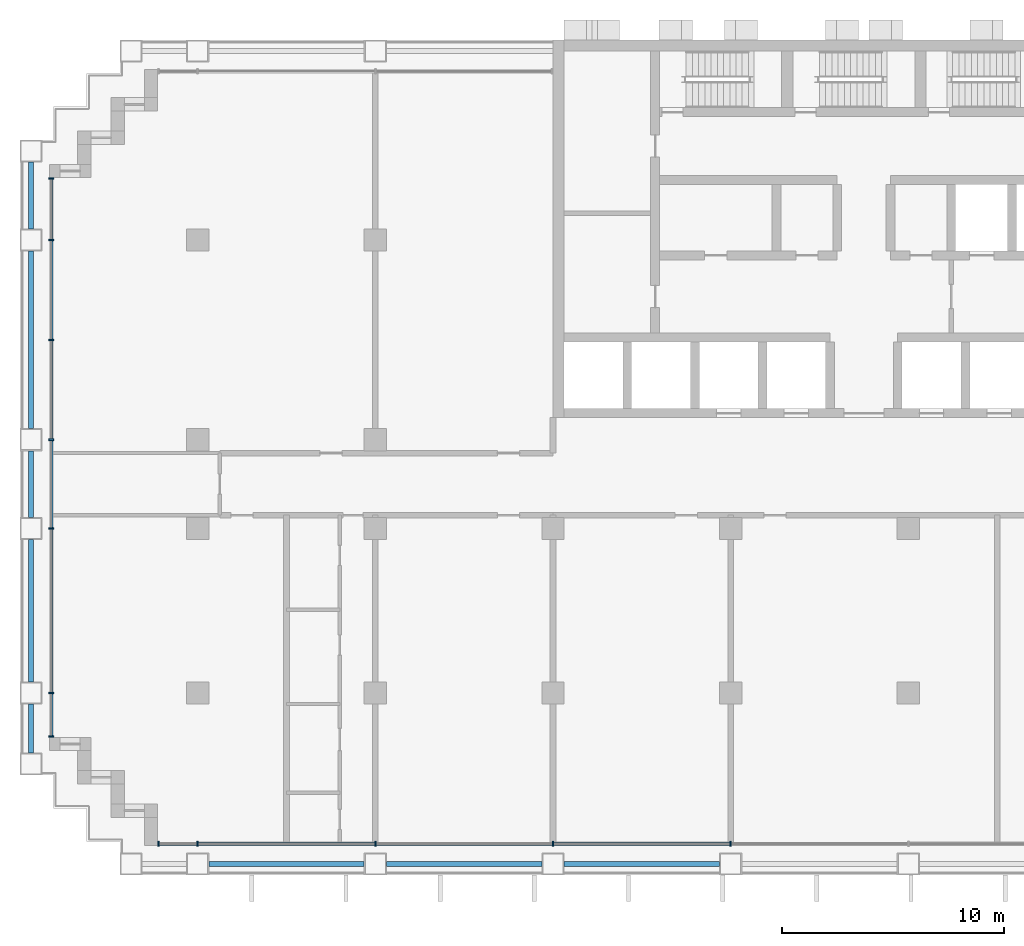
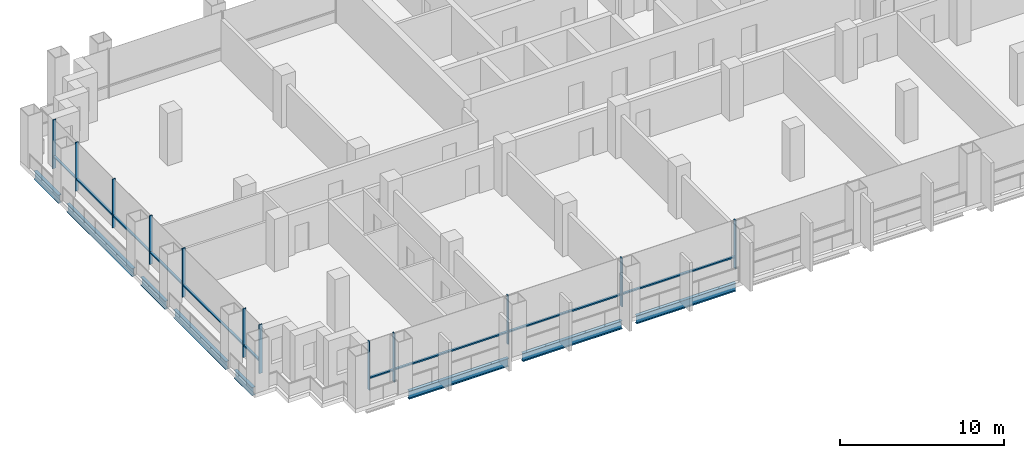
# One storey, part 2 of 13: 22 members, 8 beams, 2 elements without a shape of their own.
"""IFC4 building model written with IfcOpenShell, lengths in metres."""

from ifc_helpers import new_model, si_unit, direction, frame, origin, origin_2d, place, context, subcontext, project, spatial, rectangle, i_section, extrude, material, material_profile, profile_set, type_object, element, aggregate, save


model = new_model("IFC4")

# Units and contexts
model_context = context("Model", 3, precision=1e-05, world=origin(), true_north=direction((0.0, 1.0)))
body_context = subcontext(model_context, "Body", "Model", "MODEL_VIEW")
ifc_project = project(units=[si_unit("LENGTHUNIT", "METRE"), si_unit("AREAUNIT", "SQUARE_METRE"), si_unit("VOLUMEUNIT", "CUBIC_METRE"), si_unit("PLANEANGLEUNIT", "RADIAN"), si_unit("MASSUNIT", "GRAM", prefix="KILO")], contexts=[model_context])

# Site, building, storey
site_placement = place(None, origin())
site = spatial("IfcSite", under=ifc_project, at=site_placement, CompositionType="ELEMENT")
building_placement = place(site_placement, origin())
building = spatial("IfcBuilding", under=site, at=building_placement, Name="Vidyagriha Tower", CompositionType="ELEMENT")
storey_placement = place(building_placement, frame((0.0, 0.0, 37.699951171875)))
storey = spatial("IfcBuildingStorey", under=building, at=storey_placement, Name="L09", CompositionType="ELEMENT", Elevation=37.699951171875)

# Beams
ifc_material_1 = material(Name="Steel ASTM A992 Grade 50", Category="steel")
ifc_material_profile_1 = material_profile(ifc_material_1, i_section(OverallWidth=0.228271484375, OverallDepth=0.607177734375, WebThickness=0.01123046875, FlangeThickness=0.017333984375, at=origin_2d()), Name="W24X76")
ifc_profile_set_1 = profile_set([ifc_material_profile_1], Name="Steel ASTM A992 Grade 50")
beam_type = type_object("IfcBeamType", Name="Edge beam W24X76", PredefinedType="SPANDREL", material=ifc_profile_set_1)
for number, where, z_axis, x_axis, name in (
    (1, (-29.5, -17.10009765625, -0.603515625), (1.0, 0.0, 0.0), (0.0, 1.0, 0.0), "st-beam-L09-S02"),
    (2, (-21.5, -17.10009765625, -0.603515625), (1.0, 0.0, 0.0), (0.0, 1.0, 0.0), "st-beam-L09-S03"),
    (3, (-13.5, -17.10009765625, -0.603515625), (1.0, 0.0, 0.0), (0.0, 1.0, 0.0), "st-beam-L09-S04"),
):
    element("IfcBeam", number, at=place(storey_placement, frame(where, z_axis=z_axis, x_axis=x_axis)), inside=storey, type_object=beam_type, Name=name, PredefinedType="SPANDREL", context=body_context, shape_type="SweptSolid", body=[
        extrude(i_section(OverallWidth=0.228271484375, OverallDepth=0.607177734375, WebThickness=0.01123046875, FlangeThickness=0.017333984375, at=origin_2d()), origin(), (0.0, 0.0, 1.0), 7.0),
    ])
beam_1_placement = place(storey_placement, frame((-37.5, -12.10009765625, -0.603515625), z_axis=(0.0, 1.0, 0.0), x_axis=(-1.0, 0.0, 0.0)))
element("IfcBeam", 4, at=beam_1_placement, inside=storey, type_object=beam_type, Name="st-beam-L09-W10", PredefinedType="SPANDREL", context=body_context, shape_type="SweptSolid", body=[
    extrude(i_section(OverallWidth=0.228271484375, OverallDepth=0.607177734375, WebThickness=0.01123046875, FlangeThickness=0.017333984375, at=origin_2d()), origin(), (0.0, 0.0, 1.0), 2.2001953125),
])
beam_2_placement = place(storey_placement, frame((-37.5, -8.89990234375, -0.603515625), z_axis=(0.0, 1.0, 0.0), x_axis=(-1.0, 0.0, 0.0)))
element("IfcBeam", 5, at=beam_2_placement, inside=storey, type_object=beam_type, Name="st-beam-L09-W11", PredefinedType="SPANDREL", context=body_context, shape_type="SweptSolid", body=[
    extrude(i_section(OverallWidth=0.228271484375, OverallDepth=0.607177734375, WebThickness=0.01123046875, FlangeThickness=0.017333984375, at=origin_2d()), origin(), (0.0, 0.0, 1.0), 6.39990234375),
])
beam_3_placement = place(storey_placement, frame((-37.5, -1.5, -0.603515625), z_axis=(0.0, 1.0, 0.0), x_axis=(-1.0, 0.0, 0.0)))
element("IfcBeam", 6, at=beam_3_placement, inside=storey, type_object=beam_type, Name="st-beam-L09-W12", PredefinedType="SPANDREL", context=body_context, shape_type="SweptSolid", body=[
    extrude(i_section(OverallWidth=0.228271484375, OverallDepth=0.607177734375, WebThickness=0.01123046875, FlangeThickness=0.017333984375, at=origin_2d()), origin(), (0.0, 0.0, 1.0), 3.0),
])
beam_4_placement = place(storey_placement, frame((-37.5, 2.5, -0.603515625), z_axis=(0.0, 1.0, 0.0), x_axis=(-1.0, 0.0, 0.0)))
element("IfcBeam", 7, at=beam_4_placement, inside=storey, type_object=beam_type, Name="st-beam-L09-W13", PredefinedType="SPANDREL", context=body_context, shape_type="SweptSolid", body=[
    extrude(i_section(OverallWidth=0.228271484375, OverallDepth=0.607177734375, WebThickness=0.01123046875, FlangeThickness=0.017333984375, at=origin_2d()), origin(), (0.0, 0.0, 1.0), 8.0),
])
beam_5_placement = place(storey_placement, frame((-37.5, 11.5, -0.603515625), z_axis=(0.0, 1.0, 0.0), x_axis=(-1.0, 0.0, 0.0)))
element("IfcBeam", 8, at=beam_5_placement, inside=storey, type_object=beam_type, Name="st-beam-L09-W14", PredefinedType="SPANDREL", context=body_context, shape_type="SweptSolid", body=[
    extrude(i_section(OverallWidth=0.228271484375, OverallDepth=0.607177734375, WebThickness=0.01123046875, FlangeThickness=0.017333984375, at=origin_2d()), origin(), (0.0, 0.0, 1.0), 3.0),
])

# Curtain wall, members
ifc_material_2 = material(Name="Aluminium and glass curtain wall", Category="aluminium")
curtain_wall_type = type_object("IfcCurtainWallType", Name="Classroom skin unitised curtain wall", PredefinedType="USERDEFINED", material=ifc_material_2)
curtain_wall_1_placement = place(storey_placement, origin())
curtain_wall_1 = element("IfcCurtainWall", 9, at=curtain_wall_1_placement, inside=storey, type_object=curtain_wall_type, Name="CW2 classroom skin", ObjectType="UNITISED", PredefinedType="USERDEFINED")
ifc_material_3 = material(Name="Aluminium black anodised", Category="aluminium")
ifc_material_profile_2 = material_profile(ifc_material_3, rectangle(XDim=0.219970703125, YDim=0.070068359375, at=origin_2d()), Name="Mullion 70x220 black aluminium")
ifc_profile_set_2 = profile_set([ifc_material_profile_2], Name="Aluminium black anodised")
member_type_1 = type_object("IfcMemberType", Name="Mullion 70x220 black aluminium", PredefinedType="MULLION", material=ifc_profile_set_2)
member_1_placement = place(storey_placement, frame((-36.60009765625, 13.764892578125, 0.0)))
member_1 = element("IfcMember", 10, at=member_1_placement, type_object=member_type_1, Name="CW2 mullion 1", PredefinedType="MULLION", context=body_context, shape_type="SweptSolid", body=[
    extrude(rectangle(XDim=0.219970703125, YDim=0.070068359375, at=origin_2d()), origin(), (0.0, 0.0, 1.0), 3.6201171875),
])
member_2_placement = place(storey_placement, frame((-36.60009765625, 11.0, 0.0)))
member_2 = element("IfcMember", 11, at=member_2_placement, type_object=member_type_1, Name="CW2 mullion 2", PredefinedType="MULLION", context=body_context, shape_type="SweptSolid", body=[
    extrude(rectangle(XDim=0.219970703125, YDim=0.070068359375, at=origin_2d()), origin(), (0.0, 0.0, 1.0), 3.6201171875),
])
member_3_placement = place(storey_placement, frame((-36.60009765625, 6.5, 0.0)))
member_3 = element("IfcMember", 12, at=member_3_placement, type_object=member_type_1, Name="CW2 mullion 3", PredefinedType="MULLION", context=body_context, shape_type="SweptSolid", body=[
    extrude(rectangle(XDim=0.219970703125, YDim=0.070068359375, at=origin_2d()), origin(), (0.0, 0.0, 1.0), 3.6201171875),
])
member_4_placement = place(storey_placement, frame((-36.60009765625, 2.0, 0.0)))
member_4 = element("IfcMember", 13, at=member_4_placement, type_object=member_type_1, Name="CW2 mullion 4", PredefinedType="MULLION", context=body_context, shape_type="SweptSolid", body=[
    extrude(rectangle(XDim=0.219970703125, YDim=0.070068359375, at=origin_2d()), origin(), (0.0, 0.0, 1.0), 3.6201171875),
])
member_5_placement = place(storey_placement, frame((-36.60009765625, -2.0, 0.0)))
member_5 = element("IfcMember", 14, at=member_5_placement, type_object=member_type_1, Name="CW2 mullion 5", PredefinedType="MULLION", context=body_context, shape_type="SweptSolid", body=[
    extrude(rectangle(XDim=0.219970703125, YDim=0.070068359375, at=origin_2d()), origin(), (0.0, 0.0, 1.0), 3.6201171875),
])
member_6_placement = place(storey_placement, frame((-36.60009765625, -9.39990234375, 0.0)))
member_6 = element("IfcMember", 15, at=member_6_placement, type_object=member_type_1, Name="CW2 mullion 6", PredefinedType="MULLION", context=body_context, shape_type="SweptSolid", body=[
    extrude(rectangle(XDim=0.219970703125, YDim=0.070068359375, at=origin_2d()), origin(), (0.0, 0.0, 1.0), 3.6201171875),
])
member_7_placement = place(storey_placement, frame((-36.60009765625, -11.364990234375, 0.0)))
member_7 = element("IfcMember", 16, at=member_7_placement, type_object=member_type_1, Name="CW2 mullion 7", PredefinedType="MULLION", context=body_context, shape_type="SweptSolid", body=[
    extrude(rectangle(XDim=0.219970703125, YDim=0.070068359375, at=origin_2d()), origin(), (0.0, 0.0, 1.0), 3.6201171875),
])

curtain_wall_2_placement = place(storey_placement, origin())
curtain_wall_2 = element("IfcCurtainWall", 17, at=curtain_wall_2_placement, inside=storey, type_object=curtain_wall_type, Name="CW2 classroom skin", ObjectType="UNITISED", PredefinedType="USERDEFINED")
member_8_placement = place(storey_placement, frame((-31.764892578125, -16.199951171875, 0.0), z_axis=(0.0, 0.0, 1.0), x_axis=(0.0, 1.0, 0.0)))
member_8 = element("IfcMember", 18, at=member_8_placement, type_object=member_type_1, Name="CW2 mullion 1", PredefinedType="MULLION", context=body_context, shape_type="SweptSolid", body=[
    extrude(rectangle(XDim=0.219970703125, YDim=0.070068359375, at=origin_2d()), origin(), (0.0, 0.0, 1.0), 3.6201171875),
])
member_9_placement = place(storey_placement, frame((-30.0, -16.199951171875, 0.0), z_axis=(0.0, 0.0, 1.0), x_axis=(0.0, 1.0, 0.0)))
member_9 = element("IfcMember", 19, at=member_9_placement, type_object=member_type_1, Name="CW2 mullion 2", PredefinedType="MULLION", context=body_context, shape_type="SweptSolid", body=[
    extrude(rectangle(XDim=0.219970703125, YDim=0.070068359375, at=origin_2d()), origin(), (0.0, 0.0, 1.0), 3.6201171875),
])
member_10_placement = place(storey_placement, frame((-22.0, -16.199951171875, 0.0), z_axis=(0.0, 0.0, 1.0), x_axis=(0.0, 1.0, 0.0)))
member_10 = element("IfcMember", 20, at=member_10_placement, type_object=member_type_1, Name="CW2 mullion 3", PredefinedType="MULLION", context=body_context, shape_type="SweptSolid", body=[
    extrude(rectangle(XDim=0.219970703125, YDim=0.070068359375, at=origin_2d()), origin(), (0.0, 0.0, 1.0), 3.6201171875),
])
member_11_placement = place(storey_placement, frame((-14.0, -16.199951171875, 0.0), z_axis=(0.0, 0.0, 1.0), x_axis=(0.0, 1.0, 0.0)))
member_11 = element("IfcMember", 21, at=member_11_placement, type_object=member_type_1, Name="CW2 mullion 4", PredefinedType="MULLION", context=body_context, shape_type="SweptSolid", body=[
    extrude(rectangle(XDim=0.219970703125, YDim=0.070068359375, at=origin_2d()), origin(), (0.0, 0.0, 1.0), 3.6201171875),
])
member_12_placement = place(storey_placement, frame((-6.0, -16.199951171875, 0.0), z_axis=(0.0, 0.0, 1.0), x_axis=(0.0, 1.0, 0.0)))
member_12 = element("IfcMember", 22, at=member_12_placement, type_object=member_type_1, Name="CW2 mullion 5", PredefinedType="MULLION", context=body_context, shape_type="SweptSolid", body=[
    extrude(rectangle(XDim=0.219970703125, YDim=0.070068359375, at=origin_2d()), origin(), (0.0, 0.0, 1.0), 3.6201171875),
])

# Member
ifc_material_4 = material(Name="Aluminium black anodised", Category="aluminium")
ifc_material_profile_3 = material_profile(ifc_material_4, rectangle(XDim=0.159912109375, YDim=0.10009765625, at=origin_2d()), Name="Transom 100x160 black aluminium")
ifc_profile_set_3 = profile_set([ifc_material_profile_3], Name="Aluminium black anodised")
member_type_2 = type_object("IfcMemberType", Name="Transom 100x160 black aluminium", PredefinedType="USERDEFINED", material=ifc_profile_set_3)
member_13_placement = place(storey_placement, frame((-36.60009765625, 13.72998046875, 0.900146484375), z_axis=(0.0, -1.0, 0.0), x_axis=(1.0, 0.0, 0.0)))
member_13 = element("IfcMember", 23, at=member_13_placement, type_object=member_type_2, Name="CW2 transom 1.1", ObjectType="TRANSOM", PredefinedType="USERDEFINED", context=body_context, shape_type="SweptSolid", body=[
    extrude(rectangle(XDim=0.159912109375, YDim=0.10009765625, at=origin_2d()), origin(), (0.0, 0.0, 1.0), 2.695068359375),
])

member_14_placement = place(storey_placement, frame((-36.60009765625, 10.965087890625, 0.900146484375), z_axis=(0.0, -1.0, 0.0), x_axis=(1.0, 0.0, 0.0)))
member_14 = element("IfcMember", 24, at=member_14_placement, type_object=member_type_2, Name="CW2 transom 2.1", ObjectType="TRANSOM", PredefinedType="USERDEFINED", context=body_context, shape_type="SweptSolid", body=[
    extrude(rectangle(XDim=0.159912109375, YDim=0.10009765625, at=origin_2d()), origin(), (0.0, 0.0, 1.0), 4.43017578125),
])

member_15_placement = place(storey_placement, frame((-36.60009765625, 6.465087890625, 0.900146484375), z_axis=(0.0, -1.0, 0.0), x_axis=(1.0, 0.0, 0.0)))
member_15 = element("IfcMember", 25, at=member_15_placement, type_object=member_type_2, Name="CW2 transom 3.1", ObjectType="TRANSOM", PredefinedType="USERDEFINED", context=body_context, shape_type="SweptSolid", body=[
    extrude(rectangle(XDim=0.159912109375, YDim=0.10009765625, at=origin_2d()), origin(), (0.0, 0.0, 1.0), 4.43017578125),
])

member_16_placement = place(storey_placement, frame((-36.60009765625, 1.965087890625, 0.900146484375), z_axis=(0.0, -1.0, 0.0), x_axis=(1.0, 0.0, 0.0)))
member_16 = element("IfcMember", 26, at=member_16_placement, type_object=member_type_2, Name="CW2 transom 4.1", ObjectType="TRANSOM", PredefinedType="USERDEFINED", context=body_context, shape_type="SweptSolid", body=[
    extrude(rectangle(XDim=0.159912109375, YDim=0.10009765625, at=origin_2d()), origin(), (0.0, 0.0, 1.0), 3.93017578125),
])

member_17_placement = place(storey_placement, frame((-36.60009765625, -2.034912109375, 0.900146484375), z_axis=(0.0, -1.0, 0.0), x_axis=(1.0, 0.0, 0.0)))
member_17 = element("IfcMember", 27, at=member_17_placement, type_object=member_type_2, Name="CW2 transom 5.1", ObjectType="TRANSOM", PredefinedType="USERDEFINED", context=body_context, shape_type="SweptSolid", body=[
    extrude(rectangle(XDim=0.159912109375, YDim=0.10009765625, at=origin_2d()), origin(), (0.0, 0.0, 1.0), 7.330078125),
])

member_18_placement = place(storey_placement, frame((-36.60009765625, -9.43505859375, 0.900146484375), z_axis=(0.0, -1.0, 0.0), x_axis=(1.0, 0.0, 0.0)))
member_18 = element("IfcMember", 28, at=member_18_placement, type_object=member_type_2, Name="CW2 transom 6.1", ObjectType="TRANSOM", PredefinedType="USERDEFINED", context=body_context, shape_type="SweptSolid", body=[
    extrude(rectangle(XDim=0.159912109375, YDim=0.10009765625, at=origin_2d()), origin(), (0.0, 0.0, 1.0), 1.89501953125),
])

aggregate(curtain_wall_1, [member_1, member_2, member_3, member_4, member_5, member_6, member_7, member_13, member_14, member_15, member_16, member_17, member_18])

member_19_placement = place(storey_placement, frame((-31.72998046875, -16.199951171875, 0.900146484375), z_axis=(1.0, 0.0, 0.0), x_axis=(0.0, 1.0, 0.0)))
member_19 = element("IfcMember", 29, at=member_19_placement, type_object=member_type_2, Name="CW2 transom 1.1", ObjectType="TRANSOM", PredefinedType="USERDEFINED", context=body_context, shape_type="SweptSolid", body=[
    extrude(rectangle(XDim=0.159912109375, YDim=0.10009765625, at=origin_2d()), origin(), (0.0, 0.0, 1.0), 1.695068359375),
])

member_20_placement = place(storey_placement, frame((-29.965087890625, -16.199951171875, 0.900146484375), z_axis=(1.0, 0.0, 0.0), x_axis=(0.0, 1.0, 0.0)))
member_20 = element("IfcMember", 30, at=member_20_placement, type_object=member_type_2, Name="CW2 transom 2.1", ObjectType="TRANSOM", PredefinedType="USERDEFINED", context=body_context, shape_type="SweptSolid", body=[
    extrude(rectangle(XDim=0.159912109375, YDim=0.10009765625, at=origin_2d()), origin(), (0.0, 0.0, 1.0), 7.93017578125),
])

member_21_placement = place(storey_placement, frame((-21.965087890625, -16.199951171875, 0.900146484375), z_axis=(1.0, 0.0, 0.0), x_axis=(0.0, 1.0, 0.0)))
member_21 = element("IfcMember", 31, at=member_21_placement, type_object=member_type_2, Name="CW2 transom 3.1", ObjectType="TRANSOM", PredefinedType="USERDEFINED", context=body_context, shape_type="SweptSolid", body=[
    extrude(rectangle(XDim=0.159912109375, YDim=0.10009765625, at=origin_2d()), origin(), (0.0, 0.0, 1.0), 7.93017578125),
])

member_22_placement = place(storey_placement, frame((-13.965087890625, -16.199951171875, 0.900146484375), z_axis=(1.0, 0.0, 0.0), x_axis=(0.0, 1.0, 0.0)))
member_22 = element("IfcMember", 32, at=member_22_placement, type_object=member_type_2, Name="CW2 transom 4.1", ObjectType="TRANSOM", PredefinedType="USERDEFINED", context=body_context, shape_type="SweptSolid", body=[
    extrude(rectangle(XDim=0.159912109375, YDim=0.10009765625, at=origin_2d()), origin(), (0.0, 0.0, 1.0), 7.93017578125),
])

aggregate(curtain_wall_2, [member_8, member_9, member_10, member_11, member_12, member_19, member_20, member_21, member_22])

save(model, "model.ifc")
